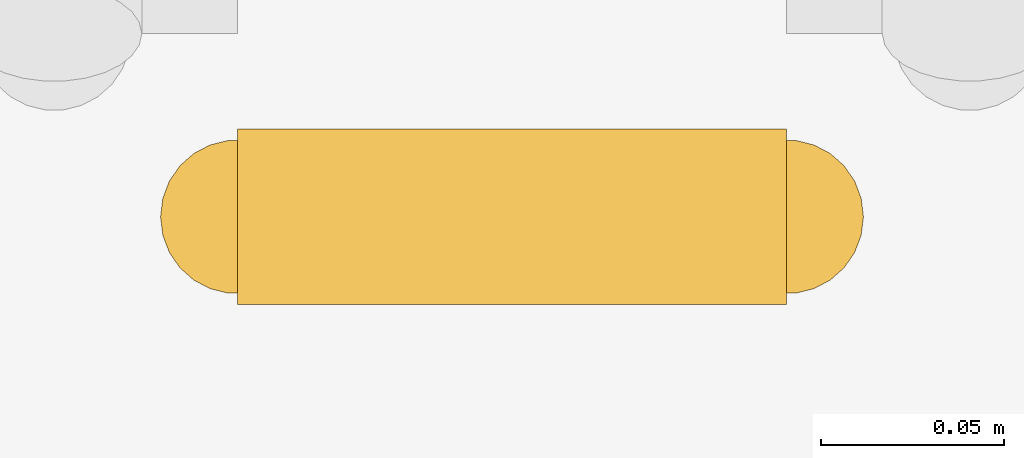
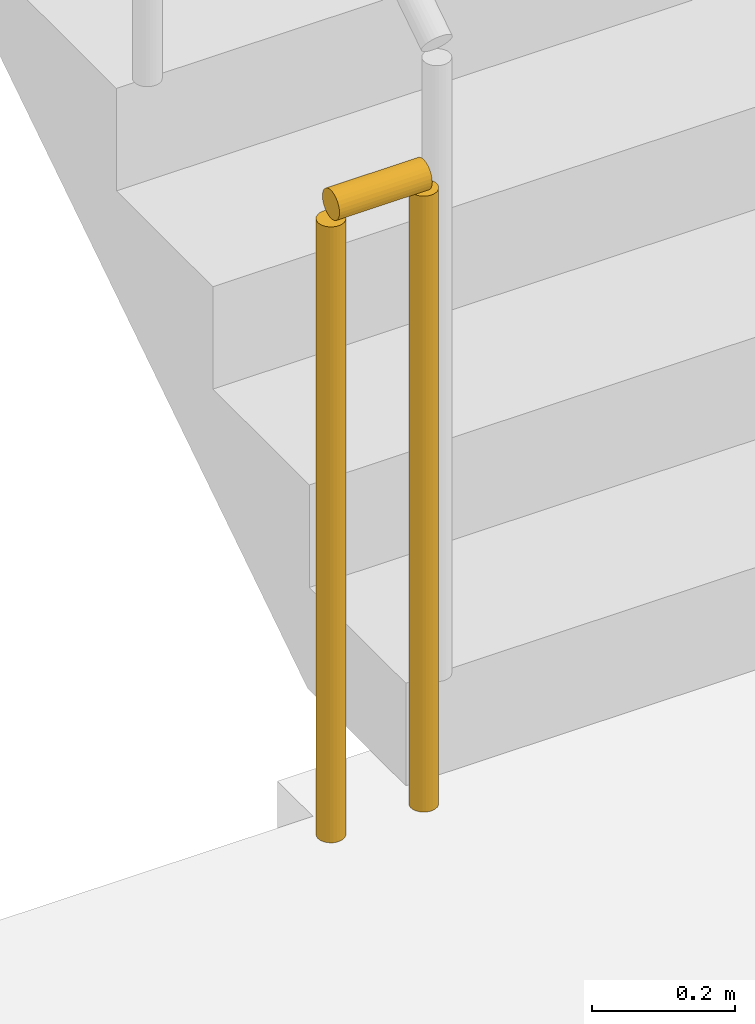
# One storey, part 17 of 20: 1 railing.
"""IFC4 building model written with IfcOpenShell, lengths in metres."""

from ifc_helpers import new_model, si_unit, direction, frame, origin, origin_2d, place, context, subcontext, project, spatial, circle, extrude, material, type_object, element, save


model = new_model("IFC4")

# Units and contexts
model_context = context("Model", 3, precision=1e-05, world=origin(), true_north=direction((0.0, 1.0)))
body_context = subcontext(model_context, "Body", "Model", "MODEL_VIEW")
ifc_project = project(units=[si_unit("LENGTHUNIT", "METRE"), si_unit("AREAUNIT", "SQUARE_METRE"), si_unit("VOLUMEUNIT", "CUBIC_METRE"), si_unit("PLANEANGLEUNIT", "RADIAN"), si_unit("MASSUNIT", "GRAM", prefix="KILO")], contexts=[model_context])

# Site, building, storey
site_placement = place(None, origin())
site = spatial("IfcSite", under=ifc_project, at=site_placement, CompositionType="ELEMENT")
building_placement = place(site_placement, origin())
building = spatial("IfcBuilding", under=site, at=building_placement, Name="Saffron Iwan Residences", CompositionType="ELEMENT")
storey_placement = place(building_placement, frame((0.0, 0.0, 127.0)))
storey = spatial("IfcBuildingStorey", under=building, at=storey_placement, Name="L33", CompositionType="ELEMENT", Elevation=127.0)

# Railing
ifc_material = material(Name="Steel S355", Category="steel")
railing_type = type_object("IfcRailingType", Name="Stair guard 1100", PredefinedType="GUARDRAIL", material=ifc_material)
railing_placement = place(storey_placement, frame((69.699951171875, 67.800048828125, 0.0)))
element("IfcRailing", 1, at=railing_placement, inside=storey, type_object=railing_type, Name="L33 ST-E stair guard 2", PredefinedType="GUARDRAIL", context=body_context, shape_type="SweptSolid", body=[
    extrude(circle(Radius=0.02392578125, at=origin_2d()), frame((0.0, 0.0, 1.076171875), z_axis=(-1.0, 0.0, 0.0), x_axis=(0.0, -1.0, 0.0)), (0.0, 0.0, 1.0), 0.14990234375),
    extrude(circle(Radius=0.02099609375, at=origin_2d()), origin(), (0.0, 0.0, 1.0), 1.052001953125),
    extrude(circle(Radius=0.02099609375, at=origin_2d()), frame((-0.14990234375, 0.0, 0.0)), (0.0, 0.0, 1.0), 1.052001953125),
])

save(model, "model.ifc")
